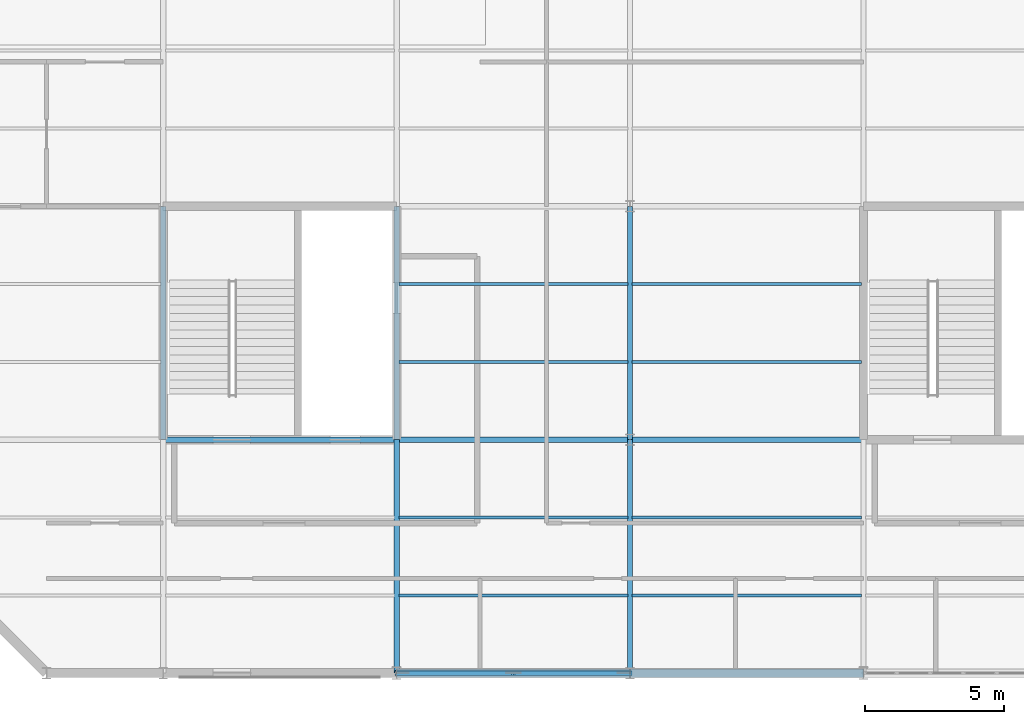
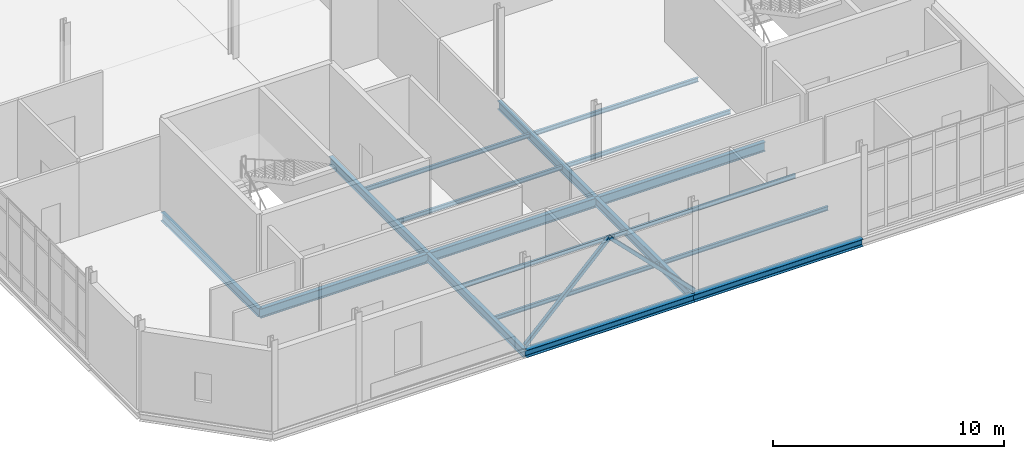
# One storey, part 6 of 28: 18 beams, 2 members.
"""IFC4 building model written with IfcOpenShell, lengths in metres."""

from ifc_helpers import new_model, si_unit, direction, frame, origin, origin_2d, place, context, subcontext, project, spatial, hollow_rectangle, i_section, extrude, material, material_profile, profile_set, type_object, element, save


model = new_model("IFC4")

# Units and contexts
model_context = context("Model", 3, precision=1e-05, world=origin(), true_north=direction((0.0, 1.0)))
body_context = subcontext(model_context, "Body", "Model", "MODEL_VIEW")
ifc_project = project(units=[si_unit("LENGTHUNIT", "METRE"), si_unit("AREAUNIT", "SQUARE_METRE"), si_unit("VOLUMEUNIT", "CUBIC_METRE"), si_unit("PLANEANGLEUNIT", "RADIAN"), si_unit("MASSUNIT", "GRAM", prefix="KILO")], contexts=[model_context])

# Site, building, storey
site_placement = place(None, origin())
site = spatial("IfcSite", under=ifc_project, at=site_placement, CompositionType="ELEMENT")
building_placement = place(site_placement, origin())
building = spatial("IfcBuilding", under=site, at=building_placement, Name="Qalvenar Corner Mobility Hub", CompositionType="ELEMENT")
storey_placement = place(building_placement, frame((0.0, 0.0, 21.60009765625)))
storey = spatial("IfcBuildingStorey", under=building, at=storey_placement, Name="L05", CompositionType="ELEMENT", Elevation=21.60009765625)

# Beams
ifc_material = material(Name="Steel S355", Category="steel")
ifc_material_profile_1 = material_profile(ifc_material, i_section(OverallWidth=0.18994140625, OverallDepth=0.449951171875, WebThickness=0.009521484375, FlangeThickness=0.0146484375, FilletRadius=0.02099609375, at=origin_2d()), Name="IPE450")
ifc_profile_set_1 = profile_set([ifc_material_profile_1], Name="Steel S355")
beam_type_1 = type_object("IfcBeamType", Name="BM-IPE450", PredefinedType="BEAM", material=ifc_profile_set_1)
beam_1_placement = place(storey_placement, frame((8.39990234375, 8.39990234375, -0.405029296875), z_axis=(0.0, 1.0, 0.0), x_axis=(-1.0, 0.0, 0.0)))
element("IfcBeam", 1, at=beam_1_placement, inside=storey, type_object=beam_type_1, Name="Primary Steel Girder GY-2981", PredefinedType="BEAM", context=body_context, shape_type="SweptSolid", body=[
    extrude(i_section(OverallWidth=0.18994140625, OverallDepth=0.449951171875, WebThickness=0.009521484375, FlangeThickness=0.0146484375, FilletRadius=0.02099609375, at=origin_2d()), origin(), (0.0, 0.0, 1.0), 8.400146484375),
])
beam_2_placement = place(storey_placement, frame((16.800048828125, 0.0, -0.405029296875), z_axis=(0.0, 1.0, 0.0), x_axis=(-1.0, 0.0, 0.0)))
element("IfcBeam", 2, at=beam_2_placement, inside=storey, type_object=beam_type_1, Name="Primary Steel Girder GY-2985", PredefinedType="BEAM", context=body_context, shape_type="SweptSolid", body=[
    extrude(i_section(OverallWidth=0.18994140625, OverallDepth=0.449951171875, WebThickness=0.009521484375, FlangeThickness=0.0146484375, FilletRadius=0.02099609375, at=origin_2d()), origin(), (0.0, 0.0, 1.0), 8.39990234375),
])
beam_3_placement = place(storey_placement, frame((16.800048828125, 8.39990234375, -0.405029296875), z_axis=(0.0, 1.0, 0.0), x_axis=(-1.0, 0.0, 0.0)))
element("IfcBeam", 3, at=beam_3_placement, inside=storey, type_object=beam_type_1, Name="Primary Steel Girder GY-2986", PredefinedType="BEAM", context=body_context, shape_type="SweptSolid", body=[
    extrude(i_section(OverallWidth=0.18994140625, OverallDepth=0.449951171875, WebThickness=0.009521484375, FlangeThickness=0.0146484375, FilletRadius=0.02099609375, at=origin_2d()), origin(), (0.0, 0.0, 1.0), 8.400146484375),
])
beam_4_placement = place(storey_placement, frame((25.199951171875, 0.0, -0.405029296875), z_axis=(0.0, 1.0, 0.0), x_axis=(-1.0, 0.0, 0.0)))
element("IfcBeam", 4, at=beam_4_placement, inside=storey, type_object=beam_type_1, Name="Primary Steel Girder GY-2990", PredefinedType="BEAM", context=body_context, shape_type="SweptSolid", body=[
    extrude(i_section(OverallWidth=0.18994140625, OverallDepth=0.449951171875, WebThickness=0.009521484375, FlangeThickness=0.0146484375, FilletRadius=0.02099609375, at=origin_2d()), origin(), (0.0, 0.0, 1.0), 8.39990234375),
])
beam_5_placement = place(storey_placement, frame((25.199951171875, 8.39990234375, -0.405029296875), z_axis=(0.0, 1.0, 0.0), x_axis=(-1.0, 0.0, 0.0)))
element("IfcBeam", 5, at=beam_5_placement, inside=storey, type_object=beam_type_1, Name="Primary Steel Girder GY-2991", PredefinedType="BEAM", context=body_context, shape_type="SweptSolid", body=[
    extrude(i_section(OverallWidth=0.18994140625, OverallDepth=0.449951171875, WebThickness=0.009521484375, FlangeThickness=0.0146484375, FilletRadius=0.02099609375, at=origin_2d()), origin(), (0.0, 0.0, 1.0), 8.400146484375),
])
ifc_material_profile_2 = material_profile(ifc_material, i_section(OverallWidth=0.199951171875, OverallDepth=0.5, WebThickness=0.01025390625, FlangeThickness=0.01611328125, FilletRadius=0.02099609375, at=origin_2d()), Name="IPE500")
ifc_profile_set_2 = profile_set([ifc_material_profile_2], Name="Steel S355")
beam_type_2 = type_object("IfcBeamType", Name="BM-IPE500", PredefinedType="BEAM", material=ifc_profile_set_2)
beam_6_placement = place(storey_placement, frame((8.39990234375, 8.39990234375, -0.43017578125), z_axis=(1.0, 0.0, 0.0), x_axis=(0.0, 1.0, 0.0)))
element("IfcBeam", 6, at=beam_6_placement, inside=storey, type_object=beam_type_2, Name="Primary Steel Girder GX-2951", PredefinedType="BEAM", context=body_context, shape_type="SweptSolid", body=[
    extrude(i_section(OverallWidth=0.199951171875, OverallDepth=0.5, WebThickness=0.01025390625, FlangeThickness=0.01611328125, FilletRadius=0.02099609375, at=origin_2d()), origin(), (0.0, 0.0, 1.0), 8.400146484375),
])
beam_7_placement = place(storey_placement, frame((16.800048828125, 8.39990234375, -0.43017578125), z_axis=(1.0, 0.0, 0.0), x_axis=(0.0, 1.0, 0.0)))
element("IfcBeam", 7, at=beam_7_placement, inside=storey, type_object=beam_type_2, Name="Primary Steel Girder GX-2952", PredefinedType="BEAM", context=body_context, shape_type="SweptSolid", body=[
    extrude(i_section(OverallWidth=0.199951171875, OverallDepth=0.5, WebThickness=0.01025390625, FlangeThickness=0.01611328125, FilletRadius=0.02099609375, at=origin_2d()), origin(), (0.0, 0.0, 1.0), 8.39990234375),
])
beam_8_placement = place(storey_placement, frame((25.199951171875, 8.39990234375, -0.43017578125), z_axis=(1.0, 0.0, 0.0), x_axis=(0.0, 1.0, 0.0)))
element("IfcBeam", 8, at=beam_8_placement, inside=storey, type_object=beam_type_2, Name="Primary Steel Girder GX-2953", PredefinedType="BEAM", context=body_context, shape_type="SweptSolid", body=[
    extrude(i_section(OverallWidth=0.199951171875, OverallDepth=0.5, WebThickness=0.01025390625, FlangeThickness=0.01611328125, FilletRadius=0.02099609375, at=origin_2d()), origin(), (0.0, 0.0, 1.0), 8.400146484375),
])
ifc_material_profile_3 = material_profile(ifc_material, i_section(OverallWidth=0.110107421875, OverallDepth=0.219970703125, WebThickness=0.005859375, FlangeThickness=0.00927734375, FilletRadius=0.011962890625, at=origin_2d()), Name="IPE220")
ifc_profile_set_3 = profile_set([ifc_material_profile_3], Name="Steel S355")
beam_type_3 = type_object("IfcBeamType", Name="BM-JST220", PredefinedType="JOIST", material=ifc_profile_set_3)
for number, where, z_axis, x_axis, name in (
    (9, (16.8779296875, 2.800048828125, -0.2900390625), (1.0, 0.0, 0.0), (0.0, 1.0, 0.0), "Composite Floor Joist J-3024"),
    (10, (16.8779296875, 5.60009765625, -0.2900390625), (1.0, 0.0, 0.0), (0.0, 1.0, 0.0), "Composite Floor Joist J-3025"),
    (11, (16.8779296875, 11.199951171875, -0.2900390625), (1.0, 0.0, 0.0), (0.0, 1.0, 0.0), "Composite Floor Joist J-3026"),
    (12, (16.8779296875, 14.0, -0.2900390625), (1.0, 0.0, 0.0), (0.0, 1.0, 0.0), "Composite Floor Joist J-3027"),
):
    element("IfcBeam", number, at=place(storey_placement, frame(where, z_axis=z_axis, x_axis=x_axis)), inside=storey, type_object=beam_type_3, Name=name, PredefinedType="JOIST", context=body_context, shape_type="SweptSolid", body=[
        extrude(i_section(OverallWidth=0.110107421875, OverallDepth=0.219970703125, WebThickness=0.005859375, FlangeThickness=0.00927734375, FilletRadius=0.011962890625, at=origin_2d()), origin(), (0.0, 0.0, 1.0), 8.244140625),
    ])
for number, where, z_axis, x_axis, name in (
    (13, (25.278076171875, 2.800048828125, -0.2900390625), (1.0, 0.0, 0.0), (0.0, 1.0, 0.0), "Composite Floor Joist J-3034"),
    (14, (25.278076171875, 5.60009765625, -0.2900390625), (1.0, 0.0, 0.0), (0.0, 1.0, 0.0), "Composite Floor Joist J-3035"),
    (15, (25.278076171875, 11.199951171875, -0.2900390625), (1.0, 0.0, 0.0), (0.0, 1.0, 0.0), "Composite Floor Joist J-3036"),
    (16, (25.278076171875, 14.0, -0.2900390625), (1.0, 0.0, 0.0), (0.0, 1.0, 0.0), "Composite Floor Joist J-3037"),
):
    element("IfcBeam", number, at=place(storey_placement, frame(where, z_axis=z_axis, x_axis=x_axis)), inside=storey, type_object=beam_type_3, Name=name, PredefinedType="JOIST", context=body_context, shape_type="SweptSolid", body=[
        extrude(i_section(OverallWidth=0.110107421875, OverallDepth=0.219970703125, WebThickness=0.005859375, FlangeThickness=0.00927734375, FilletRadius=0.011962890625, at=origin_2d()), origin(), (0.0, 0.0, 1.0), 8.243896484375),
    ])
ifc_material_profile_4 = material_profile(ifc_material, i_section(OverallWidth=0.300048828125, OverallDepth=0.389892578125, WebThickness=0.010986328125, FlangeThickness=0.01904296875, FilletRadius=0.027099609375, at=origin_2d()), Name="HEA400")
ifc_profile_set_4 = profile_set([ifc_material_profile_4], Name="Steel S355")
beam_type_4 = type_object("IfcBeamType", Name="BM-SPN400", PredefinedType="SPANDREL", material=ifc_profile_set_4)
beam_9_placement = place(storey_placement, frame((16.800048828125, 0.0, -0.375), z_axis=(1.0, 0.0, 0.0), x_axis=(0.0, 1.0, 0.0)))
element("IfcBeam", 17, at=beam_9_placement, inside=storey, type_object=beam_type_4, Name="Primary Steel Girder GX-2947", PredefinedType="SPANDREL", context=body_context, shape_type="SweptSolid", body=[
    extrude(i_section(OverallWidth=0.300048828125, OverallDepth=0.389892578125, WebThickness=0.010986328125, FlangeThickness=0.01904296875, FilletRadius=0.027099609375, at=origin_2d()), origin(), (0.0, 0.0, 1.0), 8.39990234375),
])
beam_10_placement = place(storey_placement, frame((25.199951171875, 0.0, -0.375), z_axis=(1.0, 0.0, 0.0), x_axis=(0.0, 1.0, 0.0)))
element("IfcBeam", 18, at=beam_10_placement, inside=storey, type_object=beam_type_4, Name="Primary Steel Girder GX-2948", PredefinedType="SPANDREL", context=body_context, shape_type="SweptSolid", body=[
    extrude(i_section(OverallWidth=0.300048828125, OverallDepth=0.389892578125, WebThickness=0.010986328125, FlangeThickness=0.01904296875, FilletRadius=0.027099609375, at=origin_2d()), origin(), (0.0, 0.0, 1.0), 8.400146484375),
])

# Members
ifc_material_profile_5 = material_profile(ifc_material, hollow_rectangle(XDim=0.179931640625, YDim=0.179931640625, WallThickness=0.008056640625, InnerFilletRadius=0.008056640625, OuterFilletRadius=0.01611328125, at=origin_2d()), Name="SHS180x180x8")
ifc_profile_set_5 = profile_set([ifc_material_profile_5], Name="Steel S355")
member_type = type_object("IfcMemberType", Name="BR-RHS180", PredefinedType="BRACE", material=ifc_profile_set_5)
for number, where, z_axis, x_axis, name in (
    (19, (16.800048828125, 0.0, 0.02001953125), (0.705423542875, 0.0, 0.708786022124), (0.0, 1.0, 0.0), "Chevron Lateral Brace BR-053"),
    (20, (25.199951171875, 0.0, 0.02001953125), (-0.705423542875, 0.0, 0.708786022124), (0.0, -1.0, 0.0), "Chevron Lateral Brace BR-054"),
):
    element("IfcMember", number, at=place(storey_placement, frame(where, z_axis=z_axis, x_axis=x_axis)), inside=storey, type_object=member_type, Name=name, PredefinedType="BRACE", context=body_context, shape_type="SweptSolid", body=[
        extrude(hollow_rectangle(XDim=0.179931640625, YDim=0.179931640625, WallThickness=0.008056640625, InnerFilletRadius=0.008056640625, OuterFilletRadius=0.01611328125, at=origin_2d()), origin(), (0.0, 0.0, 1.0), 5.953857421875),
    ])

save(model, "model.ifc")
